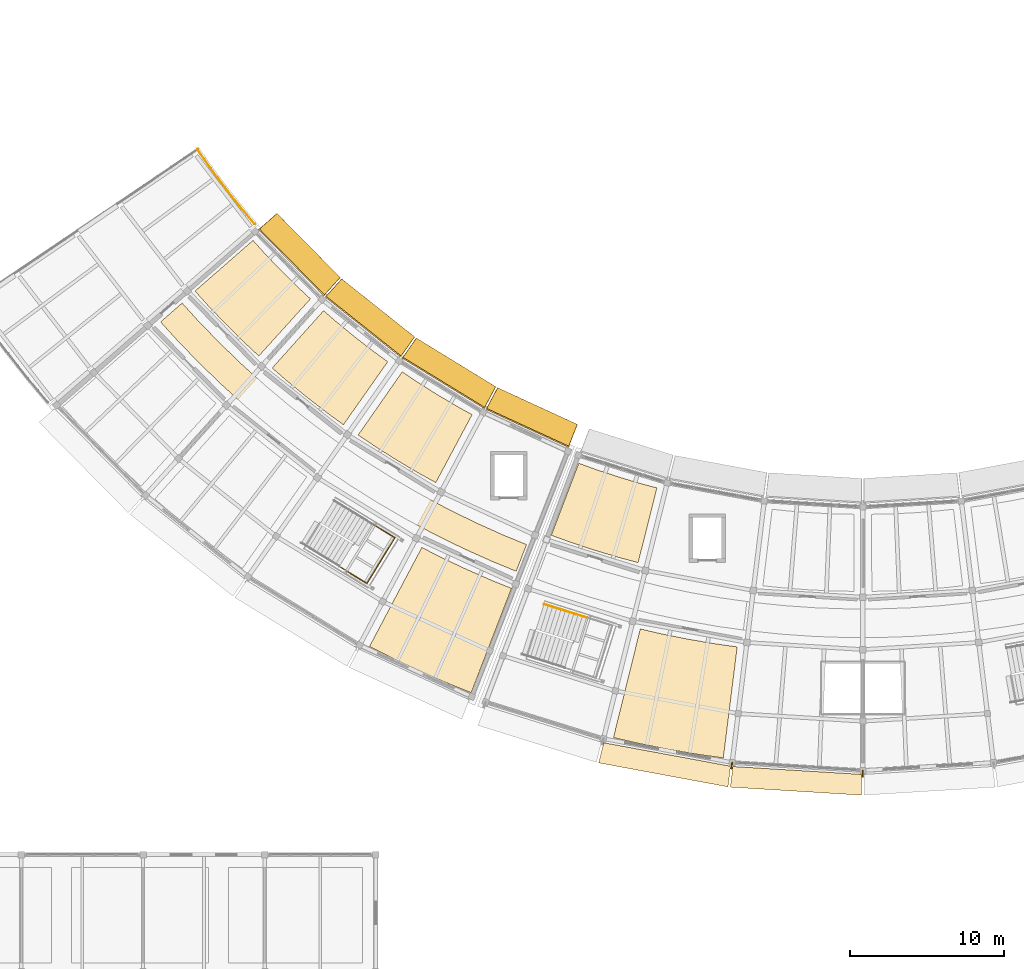
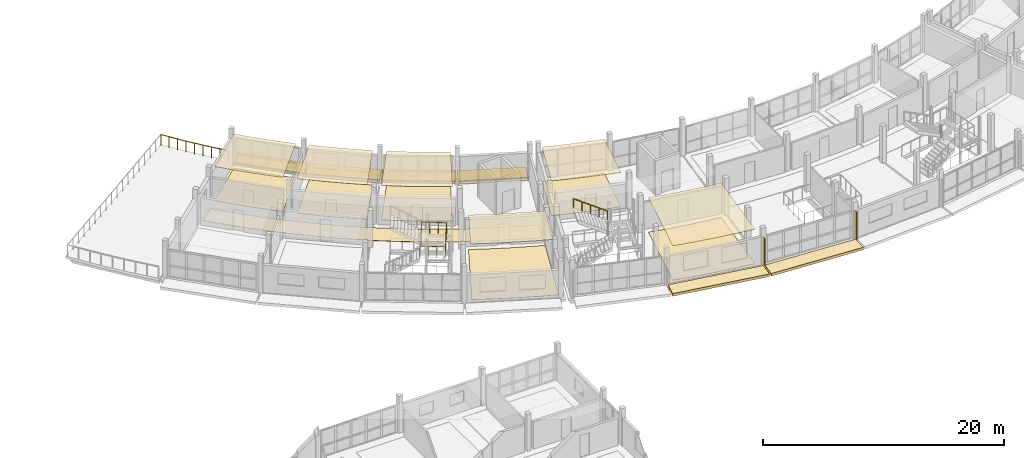
# One storey, part 62 of 66: 19 coverings, 6 shading devices, 3 railings.
"""IFC4 building model written with IfcOpenShell, lengths in metres."""

from ifc_helpers import new_model, si_unit, direction, frame, origin, origin_2d, place, context, subcontext, project, spatial, polyline, rectangle, circle, outline, extrude, material, layer, layer_set, type_object, element, save


model = new_model("IFC4")

# Units and contexts
model_context = context("Model", 3, precision=1e-05, world=origin(), true_north=direction((0.0, 1.0)))
body_context = subcontext(model_context, "Body", "Model", "MODEL_VIEW")
ifc_project = project(units=[si_unit("LENGTHUNIT", "METRE"), si_unit("AREAUNIT", "SQUARE_METRE"), si_unit("VOLUMEUNIT", "CUBIC_METRE"), si_unit("PLANEANGLEUNIT", "RADIAN"), si_unit("MASSUNIT", "GRAM", prefix="KILO")], contexts=[model_context])

# Site, building, storey
site_placement = place(None, origin())
site = spatial("IfcSite", under=ifc_project, at=site_placement, CompositionType="ELEMENT")
building_placement = place(site_placement, origin())
building = spatial("IfcBuilding", under=site, at=building_placement, Name="Caldaven Crescent School", CompositionType="ELEMENT")
storey_placement = place(building_placement, frame((0.0, 0.0, 8.159912109375)))
storey = spatial("IfcBuildingStorey", under=building, at=storey_placement, Name="L02", CompositionType="ELEMENT", Elevation=8.159912109375)

# Coverings
ifc_material_1 = material(Name="White architectural GFRC precast concrete C35/45 cladding", Category="concrete")
ifc_layer_1 = layer(ifc_material_1, 0.260009765625)
ifc_layer_set_1 = layer_set([ifc_layer_1], Name="White architectural GFRC precast concrete C35/45 cladding")
covering_type_1 = type_object("IfcCoveringType", Name="COV-CLD1", PredefinedType="CLADDING", material=ifc_layer_set_1)
covering_1_placement = place(storey_placement, frame((0.0, 0.0, -0.260009765625)))
element("IfcCovering", 1, at=covering_1_placement, inside=storey, type_object=covering_type_1, Name="CLD-OUT-L02-044", PredefinedType="CLADDING", context=body_context, shape_type="SweptSolid", body=[
    extrude(outline(polyline([(71.184814453125, 28.255615234375), (79.4208984375, 26.729248046875), (79.255126953125, 25.389404296875), (70.859619140625, 26.945556640625), (71.184814453125, 28.255615234375)])), origin(), (0.0, 0.0, 1.0), 0.260009765625),
])
covering_2_placement = place(storey_placement, frame((0.0, 0.0, -0.260009765625)))
element("IfcCovering", 2, at=covering_2_placement, inside=storey, type_object=covering_type_1, Name="CLD-OUT-L02-046", PredefinedType="CLADDING", context=body_context, shape_type="SweptSolid", body=[
    extrude(outline(polyline([(79.566162109375, 26.71142578125), (87.927001953125, 26.199951171875), (87.925537109375, 24.85009765625), (79.40283203125, 25.371337890625), (79.566162109375, 26.71142578125)])), origin(), (0.0, 0.0, 1.0), 0.260009765625),
])
ifc_layer_2 = layer(ifc_material_1, 0.260009765625)
ifc_layer_set_2 = layer_set([ifc_layer_2], Name="White architectural GFRC precast concrete C35/45 cladding")
covering_type_2 = type_object("IfcCoveringType", Name="COV-CLD2", PredefinedType="CLADDING", material=ifc_layer_set_2)
covering_3_placement = place(storey_placement, frame((0.0, 0.0, -0.260009765625)))
element("IfcCovering", 3, at=covering_3_placement, inside=storey, type_object=covering_type_2, Name="CLD-IN-L02-033", PredefinedType="CLADDING", context=body_context, shape_type="SweptSolid", body=[
    extrude(outline(polyline([(49.98291015625, 62.607421875), (54.1025390625, 58.432373046875), (53.03076171875, 57.244384765625), (48.781005859375, 61.551513671875), (49.98291015625, 62.607421875)])), origin(), (0.0, 0.0, 1.0), 0.260009765625),
])
covering_4_placement = place(storey_placement, frame((0.0, 0.0, -0.260009765625)))
element("IfcCovering", 4, at=covering_4_placement, inside=storey, type_object=covering_type_2, Name="CLD-IN-L02-035", PredefinedType="CLADDING", context=body_context, shape_type="SweptSolid", body=[
    extrude(outline(polyline([(54.181396484375, 58.361328125), (58.93359375, 54.581298828125), (58.0146484375, 53.271728515625), (53.112060546875, 57.17138671875), (54.181396484375, 58.361328125)])), origin(), (0.0, 0.0, 1.0), 0.260009765625),
])
covering_5_placement = place(storey_placement, frame((0.0, 0.0, -0.260009765625)))
element("IfcCovering", 5, at=covering_5_placement, inside=storey, type_object=covering_type_2, Name="CLD-IN-L02-037", PredefinedType="CLADDING", context=body_context, shape_type="SweptSolid", body=[
    extrude(outline(polyline([(59.0205078125, 54.5205078125), (64.197998046875, 51.34765625), (63.4453125, 49.935791015625), (58.10400390625, 53.208984375), (59.0205078125, 54.5205078125)])), origin(), (0.0, 0.0, 1.0), 0.260009765625),
])
covering_6_placement = place(storey_placement, frame((0.0, 0.0, -0.260009765625)))
element("IfcCovering", 6, at=covering_6_placement, inside=storey, type_object=covering_type_2, Name="CLD-IN-L02-039", PredefinedType="CLADDING", context=body_context, shape_type="SweptSolid", body=[
    extrude(outline(polyline([(64.29150390625, 51.298095703125), (69.492431640625, 48.90625), (68.9072265625, 47.4169921875), (63.541748046875, 49.884521484375), (64.29150390625, 51.298095703125)])), origin(), (0.0, 0.0, 1.0), 0.260009765625),
])
ifc_material_2 = material(Name="Perforated Pino Radiata acoustic timber baffle ceiling", Category="wood")
ifc_layer_3 = layer(ifc_material_2, 0.030029296875)
ifc_layer_set_3 = layer_set([ifc_layer_3], Name="Perforated Pino Radiata acoustic timber baffle ceiling")
covering_type_3 = type_object("IfcCoveringType", Name="COV-CLG1", PredefinedType="CEILING", material=ifc_layer_set_3)
covering_7_placement = place(storey_placement, frame((0.0, 0.0, 3.489990234375)))
element("IfcCovering", 7, at=covering_7_placement, inside=storey, type_object=covering_type_3, Name="CLG-L02-144", PredefinedType="CEILING", context=body_context, shape_type="SweptSolid", body=[
    extrude(outline(polyline([(53.842041015625, 55.567138671875), (53.85205078125, 55.55859375), (55.045166015625, 54.580810546875), (55.055419921875, 54.572509765625), (56.27685546875, 53.6298828125), (56.287353515625, 53.6220703125), (57.177001953125, 52.976318359375), (54.2998046875, 48.88720703125), (53.285888671875, 49.623291015625), (51.937744140625, 50.66357421875), (50.620849609375, 51.742919921875), (49.67578125, 52.5654296875), (53.0126953125, 56.288818359375), (53.842041015625, 55.567138671875)])), origin(), (0.0, 0.0, 1.0), 0.030029296875),
])
ifc_layer_4 = layer(ifc_material_2, 0.0380859375)
ifc_layer_set_4 = layer_set([ifc_layer_4], Name="Perforated Pino Radiata acoustic timber baffle ceiling")
covering_type_4 = type_object("IfcCoveringType", Name="COV-CLG2", PredefinedType="CEILING", material=ifc_layer_set_4)
covering_8_placement = place(storey_placement, frame((0.0, 0.0, 3.482177734375)))
element("IfcCovering", 8, at=covering_8_placement, inside=storey, type_object=covering_type_4, Name="CLG-L02-149", PredefinedType="CEILING", context=body_context, shape_type="SweptSolid", body=[
    extrude(outline(polyline([(70.6005859375, 46.01171875), (70.613037109375, 46.00732421875), (72.077392578125, 45.521728515625), (72.090087890625, 45.517822265625), (73.56787109375, 45.07568359375), (73.58056640625, 45.072021484375), (74.642333984375, 44.7880859375), (73.421630859375, 39.939453125), (72.21142578125, 40.26318359375), (70.580078125, 40.751220703125), (68.9638671875, 41.287109375), (67.78662109375, 41.716064453125), (69.56787109375, 46.38818359375), (70.6005859375, 46.01171875)])), origin(), (0.0, 0.0, 1.0), 0.037841796875),
])
ifc_layer_5 = layer(ifc_material_2, 0.0458984375)
ifc_layer_set_5 = layer_set([ifc_layer_5], Name="Perforated Pino Radiata acoustic timber baffle ceiling")
covering_type_5 = type_object("IfcCoveringType", Name="COV-CLG3", PredefinedType="CEILING", material=ifc_layer_set_5)
covering_9_placement = place(storey_placement, frame((0.0, 0.0, 3.444091796875)))
element("IfcCovering", 9, at=covering_9_placement, inside=storey, type_object=covering_type_5, Name="CLG-L02-142", PredefinedType="CEILING", context=body_context, shape_type="SweptSolid", body=[
    extrude(outline(polyline([(49.169189453125, 60.03125), (49.177978515625, 60.021484375), (50.242919921875, 58.905517578125), (50.252197265625, 58.896240234375), (51.349609375, 57.81201171875), (51.359130859375, 57.802734375), (52.163330078125, 57.053466796875), (48.809326171875, 53.345458984375), (47.892578125, 54.199462890625), (46.681396484375, 55.396240234375), (45.505859375, 56.62841796875), (44.668212890625, 57.559814453125), (48.43408203125, 60.8486328125), (49.169189453125, 60.03125)])), origin(), (0.0, 0.0, 1.0), 0.0458984375),
])
covering_10_placement = place(storey_placement, frame((0.0, 0.0, 3.47412109375)))
element("IfcCovering", 10, at=covering_10_placement, inside=storey, type_object=covering_type_5, Name="CLG-L02-146", PredefinedType="CEILING", context=body_context, shape_type="SweptSolid", body=[
    extrude(outline(polyline([(59.024169921875, 51.705810546875), (59.035400390625, 51.698486328125), (60.338623046875, 50.873291015625), (60.349853515625, 50.8662109375), (61.6767578125, 50.07958984375), (61.688232421875, 50.072998046875), (62.64990234375, 49.540771484375), (60.29248046875, 45.131591796875), (59.196533203125, 45.73828125), (57.731689453125, 46.606689453125), (56.29296875, 47.517578125), (55.2548828125, 48.218505859375), (58.11328125, 52.32080078125), (59.024169921875, 51.705810546875)])), origin(), (0.0, 0.0, 1.0), 0.0458984375),
])
covering_11_placement = place(storey_placement, frame((0.0, 0.0, 3.47412109375)))
element("IfcCovering", 11, at=covering_11_placement, inside=storey, type_object=covering_type_5, Name="CLG-L02-150", PredefinedType="CEILING", context=body_context, shape_type="SweptSolid", body=[
    extrude(outline(polyline([(74.893310546875, 35.32958984375), (74.90625, 35.326904296875), (76.68212890625, 34.970703125), (76.695068359375, 34.96826171875), (78.480712890625, 34.664306640625), (78.493896484375, 34.662353515625), (79.848388671875, 34.47265625), (78.947265625, 27.268798828125), (77.374755859375, 27.489013671875), (75.365478515625, 27.8310546875), (73.367431640625, 28.231689453125), (71.8203125, 28.589599609375), (73.560546875, 35.637939453125), (74.893310546875, 35.32958984375)])), origin(), (0.0, 0.0, 1.0), 0.0458984375),
])
ifc_layer_6 = layer(ifc_material_2, 0.053955078125)
ifc_layer_set_6 = layer_set([ifc_layer_6], Name="Perforated Pino Radiata acoustic timber baffle ceiling")
covering_type_6 = type_object("IfcCoveringType", Name="COV-CLG4", PredefinedType="CEILING", material=ifc_layer_set_6)
covering_12_placement = place(storey_placement, frame((0.0, 0.0, 3.466064453125)))
element("IfcCovering", 12, at=covering_12_placement, inside=storey, type_object=covering_type_6, Name="CLG-L02-147", PredefinedType="CEILING", context=body_context, shape_type="SweptSolid", body=[
    extrude(outline(polyline([(60.60498046875, 40.302490234375), (60.616943359375, 40.296875), (62.25390625, 39.521484375), (62.26611328125, 39.51611328125), (63.925048828125, 38.789306640625), (63.937255859375, 38.7841796875), (65.205810546875, 38.272216796875), (63.69189453125, 34.35546875), (62.3212890625, 34.9072265625), (60.4912109375, 35.709228515625), (58.685791015625, 36.566162109375), (57.423828125, 37.21240234375), (59.38671875, 40.92431640625), (60.60498046875, 40.302490234375)])), origin(), (0.0, 0.0, 1.0), 0.053955078125),
])
ifc_material_3 = material(Name="Polished terrazzo and acoustic linoleum flooring")
ifc_layer_7 = layer(ifc_material_3, 0.02001953125)
ifc_layer_set_7 = layer_set([ifc_layer_7], Name="Polished terrazzo and acoustic linoleum flooring")
covering_type_7 = type_object("IfcCoveringType", Name="COV-FLR1", PredefinedType="FLOORING", material=ifc_layer_set_7)
covering_13_placement = place(storey_placement, origin())
element("IfcCovering", 13, at=covering_13_placement, inside=storey, type_object=covering_type_7, Name="FLR-L02-141", PredefinedType="FLOORING", context=body_context, shape_type="SweptSolid", body=[
    extrude(outline(polyline([(43.8359375, 56.781494140625), (44.89208984375, 55.61474609375), (44.90283203125, 55.603515625), (46.306640625, 54.156005859375), (46.3173828125, 54.145263671875), (47.770263671875, 52.7470703125), (47.781494140625, 52.736328125), (49.281494140625, 51.388916015625), (49.293212890625, 51.37890625), (50.838623046875, 50.083984375), (50.8505859375, 50.07421875), (52.439697265625, 48.8330078125), (52.4521484375, 48.82373046875), (54.082763671875, 47.637939453125), (54.095458984375, 47.629150390625), (55.76611328125, 46.500244140625), (55.779052734375, 46.49169921875), (57.4873046875, 45.4208984375), (57.500732421875, 45.412841796875), (59.2451171875, 44.401611328125), (59.258544921875, 44.39404296875), (61.036376953125, 43.443115234375), (61.05029296875, 43.43603515625), (62.85986328125, 42.546875), (62.873779296875, 42.540283203125), (64.712890625, 41.714111328125), (64.727294921875, 41.7080078125), (66.18408203125, 41.112548828125), (65.510498046875, 39.37890625), (63.987060546875, 40.00146484375), (62.075439453125, 40.8603515625), (60.194580078125, 41.78466796875), (58.346435546875, 42.77294921875), (56.533447265625, 43.82421875), (54.7578125, 44.937255859375), (53.021484375, 46.110595703125), (51.326416015625, 47.343017578125), (49.6748046875, 48.633056640625), (48.068359375, 49.97900390625), (46.50927734375, 51.379638671875), (44.999267578125, 52.8330078125), (43.540283203125, 54.337158203125), (42.435791015625, 55.55712890625), (43.8359375, 56.781494140625)])), origin(), (0.0, 0.0, 1.0), 0.02001953125),
])
covering_14_placement = place(storey_placement, origin())
element("IfcCovering", 14, at=covering_14_placement, inside=storey, type_object=covering_type_7, Name="FLR-L02-144", PredefinedType="FLOORING", context=body_context, shape_type="SweptSolid", body=[
    extrude(outline(polyline([(53.0126953125, 56.288818359375), (53.842041015625, 55.567138671875), (53.85205078125, 55.55859375), (55.045166015625, 54.580810546875), (55.055419921875, 54.572509765625), (56.27685546875, 53.6298828125), (56.287353515625, 53.6220703125), (57.177001953125, 52.976318359375), (54.2998046875, 48.88720703125), (53.285888671875, 49.623291015625), (51.937744140625, 50.66357421875), (50.620849609375, 51.742919921875), (49.67578125, 52.5654296875), (53.0126953125, 56.288818359375)])), origin(), (0.0, 0.0, 1.0), 0.02001953125),
])
covering_15_placement = place(storey_placement, origin())
element("IfcCovering", 15, at=covering_15_placement, inside=storey, type_object=covering_type_7, Name="FLR-L02-147", PredefinedType="FLOORING", context=body_context, shape_type="SweptSolid", body=[
    extrude(outline(polyline([(59.38671875, 40.92431640625), (60.60498046875, 40.302490234375), (60.616943359375, 40.296875), (62.25390625, 39.521484375), (62.26611328125, 39.51611328125), (63.925048828125, 38.789306640625), (63.937255859375, 38.7841796875), (65.205810546875, 38.272216796875), (62.58837890625, 31.50048828125), (61.115966796875, 32.094482421875), (59.249267578125, 32.912353515625), (57.407470703125, 33.78466796875), (55.9931640625, 34.506103515625), (59.38671875, 40.92431640625)])), origin(), (0.0, 0.0, 1.0), 0.02001953125),
])
covering_16_placement = place(storey_placement, origin())
element("IfcCovering", 16, at=covering_16_placement, inside=storey, type_object=covering_type_7, Name="FLR-L02-150", PredefinedType="FLOORING", context=body_context, shape_type="SweptSolid", body=[
    extrude(outline(polyline([(73.560546875, 35.637939453125), (74.893310546875, 35.32958984375), (74.90625, 35.326904296875), (76.68212890625, 34.970703125), (76.695068359375, 34.96826171875), (78.480712890625, 34.664306640625), (78.493896484375, 34.662353515625), (79.848388671875, 34.47265625), (78.947265625, 27.268798828125), (77.374755859375, 27.489013671875), (75.365478515625, 27.8310546875), (73.367431640625, 28.231689453125), (71.8203125, 28.589599609375), (73.560546875, 35.637939453125)])), origin(), (0.0, 0.0, 1.0), 0.02001953125),
])
ifc_layer_8 = layer(ifc_material_3, 0.02587890625)
ifc_layer_set_8 = layer_set([ifc_layer_8], Name="Polished terrazzo and acoustic linoleum flooring")
covering_type_8 = type_object("IfcCoveringType", Name="COV-FLR2", PredefinedType="FLOORING", material=ifc_layer_set_8)
covering_17_placement = place(storey_placement, origin())
element("IfcCovering", 17, at=covering_17_placement, inside=storey, type_object=covering_type_8, Name="FLR-L02-142", PredefinedType="FLOORING", context=body_context, shape_type="SweptSolid", body=[
    extrude(outline(polyline([(48.43408203125, 60.8486328125), (49.169189453125, 60.03125), (49.177978515625, 60.021484375), (50.242919921875, 58.905517578125), (50.252197265625, 58.896240234375), (51.349609375, 57.81201171875), (51.359130859375, 57.802734375), (52.163330078125, 57.053466796875), (48.809326171875, 53.345458984375), (47.892578125, 54.199462890625), (46.681396484375, 55.396240234375), (45.505859375, 56.62841796875), (44.668212890625, 57.559814453125), (48.43408203125, 60.8486328125)])), origin(), (0.0, 0.0, 1.0), 0.026123046875),
])
ifc_layer_9 = layer(ifc_material_3, 0.031982421875)
ifc_layer_set_9 = layer_set([ifc_layer_9], Name="Polished terrazzo and acoustic linoleum flooring")
covering_type_9 = type_object("IfcCoveringType", Name="COV-FLR3", PredefinedType="FLOORING", material=ifc_layer_set_9)
covering_18_placement = place(storey_placement, origin())
element("IfcCovering", 18, at=covering_18_placement, inside=storey, type_object=covering_type_9, Name="FLR-L02-146", PredefinedType="FLOORING", context=body_context, shape_type="SweptSolid", body=[
    extrude(outline(polyline([(58.11328125, 52.32080078125), (59.024169921875, 51.705810546875), (59.035400390625, 51.698486328125), (60.338623046875, 50.873291015625), (60.349853515625, 50.8662109375), (61.6767578125, 50.07958984375), (61.688232421875, 50.072998046875), (62.64990234375, 49.540771484375), (60.29248046875, 45.131591796875), (59.196533203125, 45.73828125), (57.731689453125, 46.606689453125), (56.29296875, 47.517578125), (55.2548828125, 48.218505859375), (58.11328125, 52.32080078125)])), origin(), (0.0, 0.0, 1.0), 0.031982421875),
])
covering_19_placement = place(storey_placement, origin())
element("IfcCovering", 19, at=covering_19_placement, inside=storey, type_object=covering_type_9, Name="FLR-L02-149", PredefinedType="FLOORING", context=body_context, shape_type="SweptSolid", body=[
    extrude(outline(polyline([(69.56787109375, 46.38818359375), (70.6005859375, 46.01171875), (70.613037109375, 46.00732421875), (72.077392578125, 45.521728515625), (72.090087890625, 45.517822265625), (73.56787109375, 45.07568359375), (73.58056640625, 45.072021484375), (74.642333984375, 44.7880859375), (73.421630859375, 39.939453125), (72.21142578125, 40.26318359375), (70.580078125, 40.751220703125), (68.9638671875, 41.287109375), (67.78662109375, 41.716064453125), (69.56787109375, 46.38818359375)])), origin(), (0.0, 0.0, 1.0), 0.031982421875),
])

# Railings
ifc_material_4 = material(Name="Galvanised powder-coated steel balustrade ASTM A572 Grade 50", Category="steel")
railing_type_1 = type_object("IfcRailingType", Name="RAL-EXT2", PredefinedType="BALUSTRADE", material=ifc_material_4)
railing_1_placement = place(storey_placement, frame((44.841064453125, 66.74462890625, 0.0)))
element("IfcRailing", 20, at=railing_1_placement, inside=storey, type_object=railing_type_1, Name="GD-PD-L02-W-IN", PredefinedType="BALUSTRADE", context=body_context, shape_type="SweptSolid", body=[
    extrude(circle(Radius=0.02392578125, at=origin_2d()), frame((0.0, 0.0, 1.09619140625), z_axis=(0.567073196201, -0.823667402627, 0.0), x_axis=(0.823667402627, 0.567073196201, 0.0)), (0.0, 0.0, 1.0), 0.76123046875),
    extrude(circle(Radius=0.02392578125, at=origin_2d()), frame((0.431640625, -0.626953125, 1.09619140625), z_axis=(0.579111748083, -0.815248172787, 0.0), x_axis=(0.815248172787, 0.579111748083, 0.0)), (0.0, 0.0, 1.0), 0.760986328125),
    extrude(circle(Radius=0.02392578125, at=origin_2d()), frame((0.872314453125, -1.247314453125, 1.09619140625), z_axis=(0.590820927185, -0.80680272186, 0.0), x_axis=(0.80680272186, 0.590820927185, 0.0)), (0.0, 0.0, 1.0), 0.7607421875),
    extrude(circle(Radius=0.02392578125, at=origin_2d()), frame((1.32177734375, -1.861083984375, 1.09619140625), z_axis=(0.602665195478, -0.797994149201, 0.0), x_axis=(0.797994149201, 0.602665195478, 0.0)), (0.0, 0.0, 1.0), 0.76123046875),
    extrude(circle(Radius=0.02392578125, at=origin_2d()), frame((1.780517578125, -2.468505859375, 1.09619140625), z_axis=(0.614073873751, -0.78924855247, 0.0), x_axis=(0.78924855247, 0.614073873751, 0.0)), (0.0, 0.0, 1.0), 0.760986328125),
    extrude(circle(Radius=0.02392578125, at=origin_2d()), frame((2.247802734375, -3.069091796875, 1.09619140625), z_axis=(0.625907125554, -0.779897602369, 0.0), x_axis=(0.779897602369, 0.625907125554, 0.0)), (0.0, 0.0, 1.0), 0.760986328125),
    extrude(circle(Radius=0.02392578125, at=origin_2d()), frame((2.72412109375, -3.66259765625, 1.09619140625), z_axis=(0.636864864173, -0.770975450181, 0.0), x_axis=(0.770975450181, 0.636864864173, 0.0)), (0.0, 0.0, 1.0), 0.760986328125),
    extrude(circle(Radius=0.02392578125, at=origin_2d()), frame((3.208740234375, -4.249267578125, 1.09619140625), z_axis=(0.648039454875, -0.761606765284, 0.0), x_axis=(0.761606765284, 0.648039454875, 0.0)), (0.0, 0.0, 1.0), 0.760986328125),
    extrude(circle(Radius=0.02099609375, at=origin_2d()), origin(), (0.0, 0.0, 1.0), 1.072021484375),
    extrude(circle(Radius=0.02099609375, at=origin_2d()), frame((0.431640625, -0.626953125, 0.0)), (0.0, 0.0, 1.0), 1.072021484375),
    extrude(circle(Radius=0.02099609375, at=origin_2d()), frame((0.872314453125, -1.247314453125, 0.0)), (0.0, 0.0, 1.0), 1.072021484375),
    extrude(circle(Radius=0.02099609375, at=origin_2d()), frame((1.32177734375, -1.861083984375, 0.0)), (0.0, 0.0, 1.0), 1.072021484375),
    extrude(circle(Radius=0.02099609375, at=origin_2d()), frame((1.780517578125, -2.468505859375, 0.0)), (0.0, 0.0, 1.0), 1.072021484375),
    extrude(circle(Radius=0.02099609375, at=origin_2d()), frame((2.247802734375, -3.069091796875, 0.0)), (0.0, 0.0, 1.0), 1.072021484375),
    extrude(circle(Radius=0.02099609375, at=origin_2d()), frame((2.72412109375, -3.66259765625, 0.0)), (0.0, 0.0, 1.0), 1.072021484375),
    extrude(circle(Radius=0.02099609375, at=origin_2d()), frame((3.208740234375, -4.249267578125, 0.0)), (0.0, 0.0, 1.0), 1.072021484375),
    extrude(circle(Radius=0.02099609375, at=origin_2d()), frame((3.701904296875, -4.828857421875, 0.0)), (0.0, 0.0, 1.0), 1.072021484375),
])
ifc_material_5 = material(Name="Brushed stainless-steel continuous tubular handrail", Category="steel")
railing_type_2 = type_object("IfcRailingType", Name="RAL-HR2", PredefinedType="HANDRAIL", material=ifc_material_5)
railing_2_placement = place(storey_placement, frame((70.08056640625, 36.373779296875, 2.04296875)))
element("IfcRailing", 21, at=railing_2_placement, inside=storey, type_object=railing_type_2, Name="HR-ST2-L02-F2", PredefinedType="HANDRAIL", context=body_context, shape_type="SweptSolid", body=[
    extrude(circle(Radius=0.02392578125, at=origin_2d()), frame((0.0, 0.0, 0.8759765625), z_axis=(-0.822729192754, 0.2594269665, 0.505780905574), x_axis=(-0.300728414298, -0.953709820036, 0.0)), (0.0, 0.0, 1.0), 3.361572265625),
    extrude(circle(Radius=0.02099609375, at=origin_2d()), origin(), (0.0, 0.0, 1.0), 0.851806640625),
    extrude(circle(Radius=0.02099609375, at=origin_2d()), frame((-0.69140625, 0.218017578125, 0.425048828125)), (0.0, 0.0, 1.0), 0.851806640625),
    extrude(circle(Radius=0.02099609375, at=origin_2d()), frame((-1.3828125, 0.43603515625, 0.85009765625)), (0.0, 0.0, 1.0), 0.851806640625),
    extrude(circle(Radius=0.02099609375, at=origin_2d()), frame((-2.07421875, 0.654052734375, 1.275146484375)), (0.0, 0.0, 1.0), 0.851806640625),
    extrude(circle(Radius=0.02099609375, at=origin_2d()), frame((-2.765625, 0.8720703125, 1.7001953125)), (0.0, 0.0, 1.0), 0.851806640625),
])
ifc_material_6 = material(Name="Powder-coated tubular steel balustrade ASTM A572 Grade 50", Category="steel")
railing_type_3 = type_object("IfcRailingType", Name="RAL-INT2", PredefinedType="BALUSTRADE", material=ifc_material_6)
railing_3_placement = place(storey_placement, frame((54.03271484375, 39.68994140625, 1.8701171875)))
element("IfcRailing", 22, at=railing_3_placement, inside=storey, type_object=railing_type_3, Name="GD-LND-ST1-L02", PredefinedType="BALUSTRADE", context=body_context, shape_type="SweptSolid", body=[
    extrude(circle(Radius=0.02392578125, at=origin_2d()), frame((0.0, 0.0, 1.09619140625), z_axis=(0.852677742379, -0.522437238003, 0.0), x_axis=(0.522437238003, 0.852677742379, 0.0)), (0.0, 0.0, 1.0), 2.10986328125),
    extrude(circle(Radius=0.02392578125, at=origin_2d()), frame((1.799072265625, -1.102294921875, 1.09619140625), z_axis=(0.522530799947, 0.852620409741, 0.0), x_axis=(-0.852620409741, 0.522530799947, 0.0)), (0.0, 0.0, 1.0), 3.47998046875),
    extrude(circle(Radius=0.02392578125, at=origin_2d()), frame((3.617431640625, 1.86474609375, 1.09619140625), z_axis=(-0.852626195292, 0.52252135947, 0.0), x_axis=(-0.52252135947, -0.852626195292, 0.0)), (0.0, 0.0, 1.0), 2.110107421875),
    extrude(circle(Radius=0.02099609375, at=origin_2d()), origin(), (0.0, 0.0, 1.0), 1.072021484375),
    extrude(circle(Radius=0.02099609375, at=origin_2d()), frame((0.599609375, -0.367431640625, 0.0)), (0.0, 0.0, 1.0), 1.072021484375),
    extrude(circle(Radius=0.02099609375, at=origin_2d()), frame((1.199462890625, -0.73486328125, 0.0)), (0.0, 0.0, 1.0), 1.072021484375),
    extrude(circle(Radius=0.02099609375, at=origin_2d()), frame((1.799072265625, -1.102294921875, 0.0)), (0.0, 0.0, 1.0), 1.072021484375),
    extrude(circle(Radius=0.02099609375, at=origin_2d()), frame((2.253662109375, -0.360595703125, 0.0)), (0.0, 0.0, 1.0), 1.072021484375),
    extrude(circle(Radius=0.02099609375, at=origin_2d()), frame((2.708251953125, 0.38134765625, 0.0)), (0.0, 0.0, 1.0), 1.072021484375),
    extrude(circle(Radius=0.02099609375, at=origin_2d()), frame((3.162841796875, 1.123046875, 0.0)), (0.0, 0.0, 1.0), 1.072021484375),
    extrude(circle(Radius=0.02099609375, at=origin_2d()), frame((3.617431640625, 1.86474609375, 0.0)), (0.0, 0.0, 1.0), 1.072021484375),
    extrude(circle(Radius=0.02099609375, at=origin_2d()), frame((3.017822265625, 2.232177734375, 0.0)), (0.0, 0.0, 1.0), 1.072021484375),
    extrude(circle(Radius=0.02099609375, at=origin_2d()), frame((2.41796875, 2.599853515625, 0.0)), (0.0, 0.0, 1.0), 1.072021484375),
    extrude(circle(Radius=0.02099609375, at=origin_2d()), frame((1.818359375, 2.96728515625, 0.0)), (0.0, 0.0, 1.0), 1.072021484375),
])

# Shading devices
ifc_material_7 = material(Name="Precast concrete C35/45", Category="concrete")
ifc_layer_10 = layer(ifc_material_7, 0.1298828125)
ifc_layer_set_10 = layer_set([ifc_layer_10], Name="Precast concrete C35/45")
shading_device_type_1 = type_object("IfcShadingDeviceType", Name="SHD-S02", PredefinedType="AWNING", material=ifc_layer_set_10)
shading_device_1_placement = place(storey_placement, frame((0.0, 0.0, -0.1298828125)))
element("IfcShadingDevice", 23, at=shading_device_1_placement, inside=storey, type_object=shading_device_type_1, Name="SHD-LDG-L02-023", PredefinedType="AWNING", context=body_context, shape_type="SweptSolid", body=[
    extrude(outline(polyline([(49.99462890625, 62.593994140625), (54.089599609375, 58.444091796875), (53.07080078125, 57.31591796875), (48.85302734375, 61.590576171875), (49.99462890625, 62.593994140625)])), origin(), (0.0, 0.0, 1.0), 0.1298828125),
])
shading_device_2_placement = place(storey_placement, frame((0.0, 0.0, -0.1298828125)))
element("IfcShadingDevice", 24, at=shading_device_2_placement, inside=storey, type_object=shading_device_type_1, Name="SHD-LDG-L02-024", PredefinedType="AWNING", context=body_context, shape_type="SweptSolid", body=[
    extrude(outline(polyline([(54.194580078125, 58.349609375), (58.919189453125, 54.591552734375), (58.045654296875, 53.34765625), (53.178955078125, 57.21875), (54.194580078125, 58.349609375)])), origin(), (0.0, 0.0, 1.0), 0.1298828125),
])
shading_device_3_placement = place(storey_placement, frame((0.0, 0.0, -0.1298828125)))
element("IfcShadingDevice", 25, at=shading_device_3_placement, inside=storey, type_object=shading_device_type_1, Name="SHD-LDG-L02-025", PredefinedType="AWNING", context=body_context, shape_type="SweptSolid", body=[
    extrude(outline(polyline([(59.034912109375, 54.510498046875), (64.182373046875, 51.35595703125), (63.466796875, 50.014892578125), (58.164794921875, 53.26416015625), (59.034912109375, 54.510498046875)])), origin(), (0.0, 0.0, 1.0), 0.1298828125),
])
shading_device_4_placement = place(storey_placement, frame((0.0, 0.0, -0.1298828125)))
element("IfcShadingDevice", 26, at=shading_device_4_placement, inside=storey, type_object=shading_device_type_1, Name="SHD-LDG-L02-026", PredefinedType="AWNING", context=body_context, shape_type="SweptSolid", body=[
    extrude(outline(polyline([(64.30712890625, 51.289794921875), (69.47607421875, 48.91259765625), (68.91943359375, 47.498046875), (63.595458984375, 49.946533203125), (64.30712890625, 51.289794921875)])), origin(), (0.0, 0.0, 1.0), 0.1298828125),
])
ifc_material_8 = material(Name="Bronze-anodised aluminium AA 6063-T6 sunshade", Category="aluminium")
ifc_layer_11 = layer(ifc_material_8, 0.080078125)
ifc_layer_set_11 = layer_set([ifc_layer_11], Name="Bronze-anodised aluminium AA 6063-T6 sunshade")
shading_device_type_2 = type_object("IfcShadingDeviceType", Name="SHD-S04", PredefinedType="JALOUSIE", material=ifc_layer_set_11)
for number, where, z_axis, x_axis, name in (
    (27, (79.49951171875, 26.77001953125, 0.0), (0.0, 0.0, 1.0), (-0.121869343405, -0.992546151641, 0.0), "SHD-FIN-L02-032"),
    (28, (88.0, 26.25, 0.0), (0.0, 0.0, 1.0), (0.0, -1.0, 0.0), "SHD-FIN-L02-034"),
):
    element("IfcShadingDevice", number, at=place(storey_placement, frame(where, z_axis=z_axis, x_axis=x_axis)), inside=storey, type_object=shading_device_type_2, Name=name, PredefinedType="JALOUSIE", context=body_context, shape_type="SweptSolid", body=[
        extrude(rectangle(XDim=0.449951171875, YDim=0.080078125, at=origin_2d()), origin(), (0.0, 0.0, 1.0), 2.780029296875),
    ])

save(model, "model.ifc")
